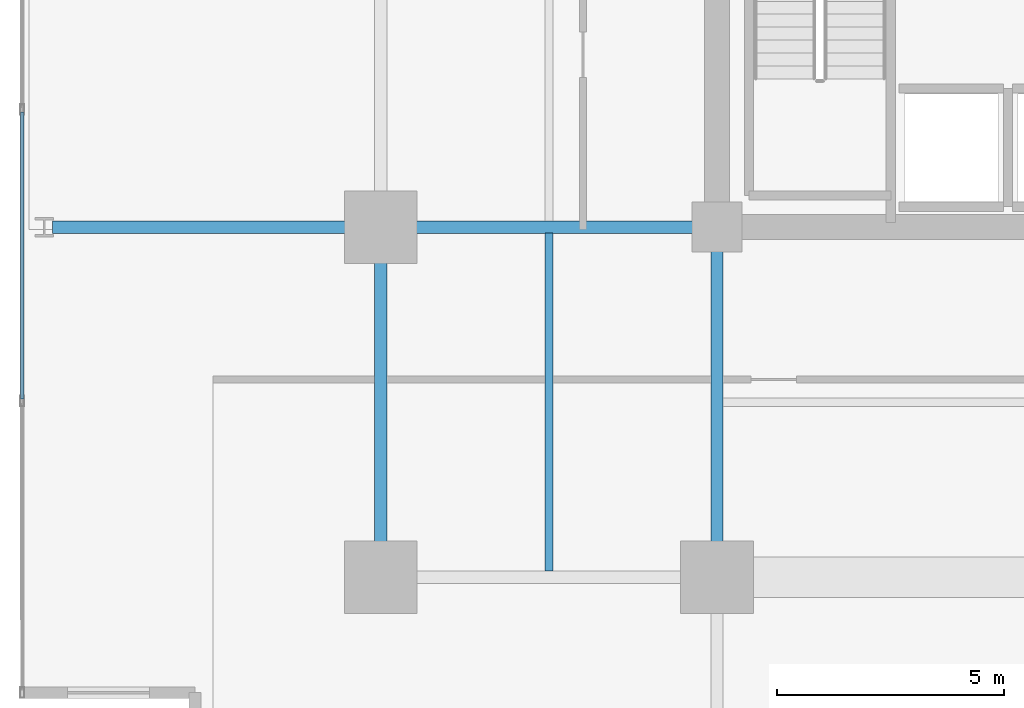
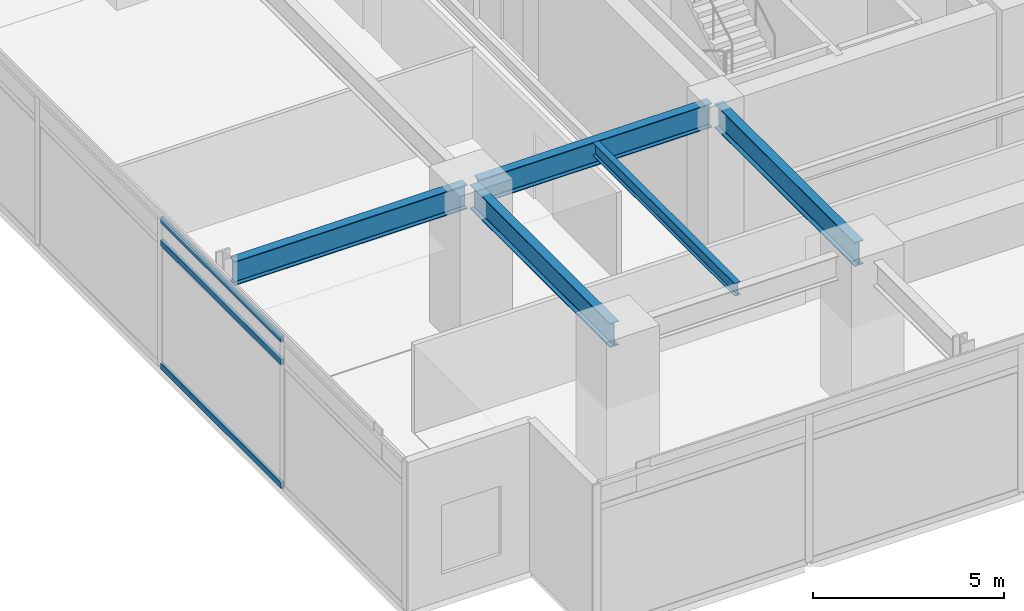
# One storey, part 3 of 20: 5 beams, 3 members, 1 element without a shape of its own.
"""IFC4 building model written with IfcOpenShell, lengths in metres."""

from ifc_helpers import new_model, si_unit, direction, frame, origin, origin_2d, place, context, subcontext, project, spatial, hollow_rectangle, i_section, extrude, material, material_profile, profile_set, type_object, element, aggregate, save


model = new_model("IFC4")

# Units and contexts
model_context = context("Model", 3, precision=1e-05, world=origin(), true_north=direction((0.0, 1.0)))
body_context = subcontext(model_context, "Body", "Model", "MODEL_VIEW")
ifc_project = project(units=[si_unit("LENGTHUNIT", "METRE"), si_unit("AREAUNIT", "SQUARE_METRE"), si_unit("VOLUMEUNIT", "CUBIC_METRE"), si_unit("PLANEANGLEUNIT", "RADIAN"), si_unit("MASSUNIT", "GRAM", prefix="KILO")], contexts=[model_context])

# Site, building, storey
site_placement = place(None, origin())
site = spatial("IfcSite", under=ifc_project, at=site_placement, CompositionType="ELEMENT")
building_placement = place(site_placement, origin())
building = spatial("IfcBuilding", under=site, at=building_placement, Name="Kovane Verandah Tower", CompositionType="ELEMENT")
storey_placement = place(building_placement, frame((0.0, 0.0, 123.39990234375)))
storey = spatial("IfcBuildingStorey", under=building, at=storey_placement, Name="L28", CompositionType="ELEMENT", Elevation=123.39990234375)

# Beams
ifc_material_1 = material(Name="Steel S355", Category="steel")
ifc_material_profile_1 = material_profile(ifc_material_1, i_section(OverallWidth=0.26806640625, OverallDepth=0.769775390625, WebThickness=0.015625, FlangeThickness=0.025390625, FilletRadius=0.0166015625, at=origin_2d()), Name="UB762x267x197")
ifc_profile_set_1 = profile_set([ifc_material_profile_1], Name="Steel S355")
beam_type_1 = type_object("IfcBeamType", Name="BM-UB762x197", PredefinedType="BEAM", material=ifc_profile_set_1)
beam_1_placement = place(storey_placement, frame((21.60009765625, 10.97998046875, 4.39013671875), z_axis=(0.0, 1.0, 0.0), x_axis=(-1.0, 0.0, 0.0)))
element("IfcBeam", 1, at=beam_1_placement, inside=storey, type_object=beam_type_1, Name="L28 Primary Tower Girder G-RW1", PredefinedType="BEAM", context=body_context, shape_type="SweptSolid", body=[
    extrude(i_section(OverallWidth=0.26806640625, OverallDepth=0.769775390625, WebThickness=0.015625, FlangeThickness=0.025390625, FilletRadius=0.0166015625, at=origin_2d()), origin(), (0.0, 0.0, 1.0), 7.340087890625),
])
beam_2_placement = place(storey_placement, frame((28.820068359375, 18.5, 4.39013671875), z_axis=(-1.0, 0.0, 0.0), x_axis=(0.0, -1.0, 0.0)))
element("IfcBeam", 2, at=beam_2_placement, inside=storey, type_object=beam_type_1, Name="L28 Primary Tower Girder G-W1", PredefinedType="BEAM", context=body_context, shape_type="SweptSolid", body=[
    extrude(i_section(OverallWidth=0.26806640625, OverallDepth=0.769775390625, WebThickness=0.015625, FlangeThickness=0.025390625, FilletRadius=0.0166015625, at=origin_2d()), origin(), (0.0, 0.0, 1.0), 7.0400390625),
])
beam_3_placement = place(storey_placement, frame((29.0, 18.320068359375, 4.39013671875), z_axis=(0.0, -1.0, 0.0), x_axis=(1.0, 0.0, 0.0)))
element("IfcBeam", 3, at=beam_3_placement, inside=storey, type_object=beam_type_1, Name="L28 Primary Tower Girder G-S1", PredefinedType="BEAM", context=body_context, shape_type="SweptSolid", body=[
    extrude(i_section(OverallWidth=0.26806640625, OverallDepth=0.769775390625, WebThickness=0.015625, FlangeThickness=0.025390625, FilletRadius=0.0166015625, at=origin_2d()), origin(), (0.0, 0.0, 1.0), 7.340087890625),
])
beam_4_placement = place(storey_placement, frame((21.419921875, 18.5, 4.375244140625), z_axis=(-1.0, 0.0, 0.0), x_axis=(0.0, -1.0, 0.0)))
element("IfcBeam", 4, at=beam_4_placement, inside=storey, type_object=beam_type_1, Name="L28 Primary Tower Girder G-VW1", PredefinedType="BEAM", context=body_context, shape_type="SweptSolid", body=[
    extrude(i_section(OverallWidth=0.26806640625, OverallDepth=0.769775390625, WebThickness=0.015625, FlangeThickness=0.025390625, FilletRadius=0.0166015625, at=origin_2d()), origin(), (0.0, 0.0, 1.0), 7.0400390625),
])

# Curtain wall, members
ifc_material_2 = material(Name="Champagne Anodised Aluminium Frame with Low-E Clear Laminated Glass", Category="aluminium")
curtain_wall_type = type_object("IfcCurtainWallType", Name="CW-SYS-03-MID", PredefinedType="NOTDEFINED", material=ifc_material_2)
curtain_wall_placement = place(storey_placement, origin())
curtain_wall = element("IfcCurtainWall", 5, at=curtain_wall_placement, inside=storey, type_object=curtain_wall_type, Name="L28 W Unitised Curtain Wall", PredefinedType="NOTDEFINED")
ifc_material_3 = material(Name="Champagne Anodised Aluminium 6063-T6", Category="aluminium")
ifc_material_profile_2 = material_profile(ifc_material_3, hollow_rectangle(XDim=0.0849609375, YDim=0.18994140625, WallThickness=0.00390625, at=origin_2d()), Name="AL85x190x4")
ifc_profile_set_2 = profile_set([ifc_material_profile_2], Name="Champagne Anodised Aluminium 6063-T6")
member_type = type_object("IfcMemberType", Name="CW-TRN-85x190", PredefinedType="USERDEFINED", material=ifc_profile_set_2)
member_1_placement = place(storey_placement, frame((13.71533203125, 21.036865234375, 0.050048828125), z_axis=(0.0, -1.0, 0.0), x_axis=(1.0, 0.0, 0.0)))
member_1 = element("IfcMember", 6, at=member_1_placement, type_object=member_type, Name="L28 W Unitised Curtain Wall Transom TB Bay 5", ObjectType="TRANSOM", PredefinedType="USERDEFINED", context=body_context, shape_type="SweptSolid", body=[
    extrude(hollow_rectangle(XDim=0.0849609375, YDim=0.18994140625, WallThickness=0.00390625, at=origin_2d()), origin(), (0.0, 0.0, 1.0), 6.31298828125),
])
member_2_placement = place(storey_placement, frame((13.71533203125, 21.036865234375, 3.9951171875), z_axis=(0.0, -1.0, 0.0), x_axis=(1.0, 0.0, 0.0)))
member_2 = element("IfcMember", 7, at=member_2_placement, type_object=member_type, Name="L28 W Unitised Curtain Wall Transom TM Bay 5", ObjectType="TRANSOM", PredefinedType="USERDEFINED", context=body_context, shape_type="SweptSolid", body=[
    extrude(hollow_rectangle(XDim=0.0849609375, YDim=0.18994140625, WallThickness=0.00390625, at=origin_2d()), origin(), (0.0, 0.0, 1.0), 6.31298828125),
])
member_3_placement = place(storey_placement, frame((13.71533203125, 21.036865234375, 4.72509765625), z_axis=(0.0, -1.0, 0.0), x_axis=(1.0, 0.0, 0.0)))
member_3 = element("IfcMember", 8, at=member_3_placement, type_object=member_type, Name="L28 W Unitised Curtain Wall Transom TT Bay 5", ObjectType="TRANSOM", PredefinedType="USERDEFINED", context=body_context, shape_type="SweptSolid", body=[
    extrude(hollow_rectangle(XDim=0.0849609375, YDim=0.18994140625, WallThickness=0.00390625, at=origin_2d()), origin(), (0.0, 0.0, 1.0), 6.31298828125),
])
aggregate(curtain_wall, [member_1, member_2, member_3])

# Beam
ifc_material_profile_3 = material_profile(ifc_material_1, i_section(OverallWidth=0.179443359375, OverallDepth=0.412841796875, WebThickness=0.009521484375, FlangeThickness=0.01611328125, FilletRadius=0.01025390625, at=origin_2d()), Name="UB406x178x74")
ifc_profile_set_3 = profile_set([ifc_material_profile_3], Name="Steel S355")
beam_type_2 = type_object("IfcBeamType", Name="JST-UB406x74", PredefinedType="JOIST", material=ifc_profile_set_3)
beam_5_placement = place(storey_placement, frame((25.300048828125, 10.931884765625, 4.568603515625), z_axis=(0.0, 1.0, 0.0), x_axis=(-1.0, 0.0, 0.0)))
element("IfcBeam", 9, at=beam_5_placement, inside=storey, type_object=beam_type_2, Name="L28 Secondary Composite Joist J-SW1", PredefinedType="JOIST", context=body_context, shape_type="SweptSolid", body=[
    extrude(i_section(OverallWidth=0.179443359375, OverallDepth=0.412841796875, WebThickness=0.009521484375, FlangeThickness=0.01611328125, FilletRadius=0.01025390625, at=origin_2d()), origin(), (0.0, 0.0, 1.0), 7.43603515625),
])

save(model, "model.ifc")
